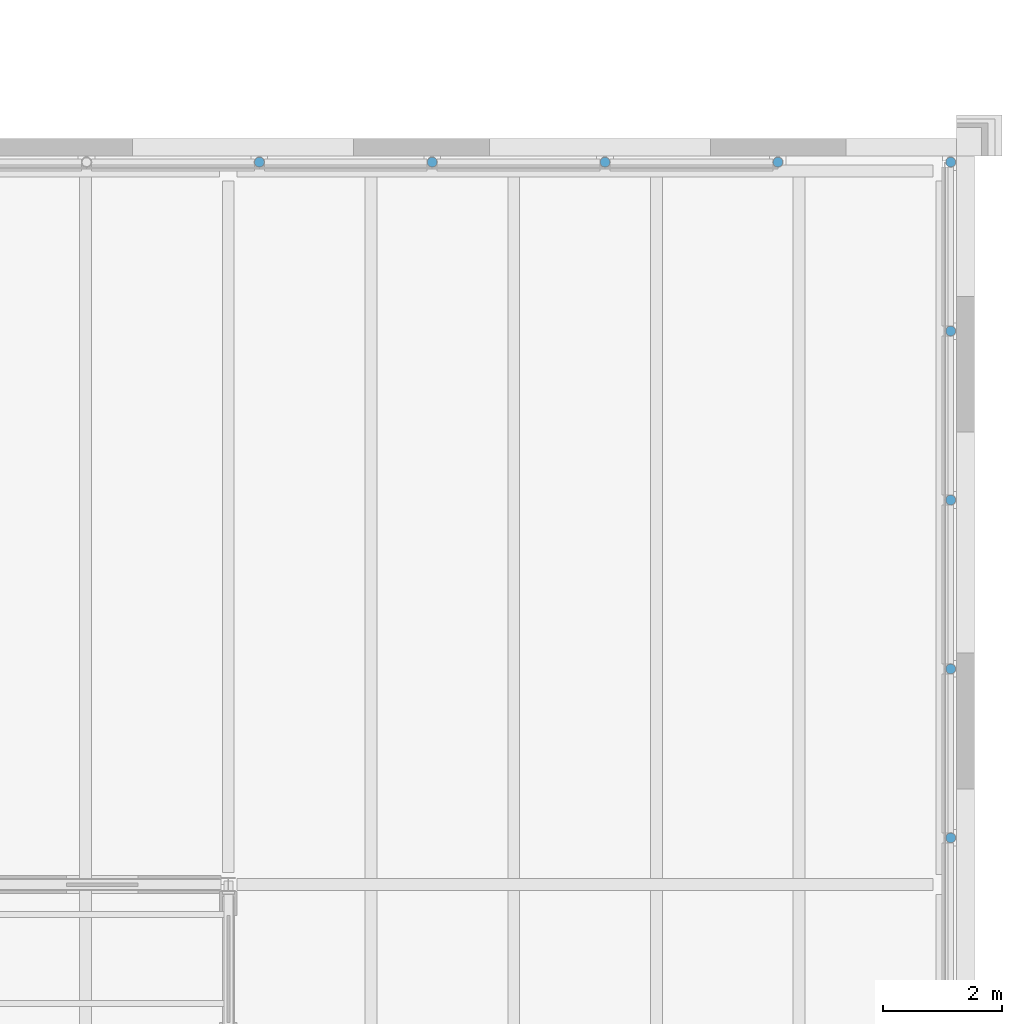
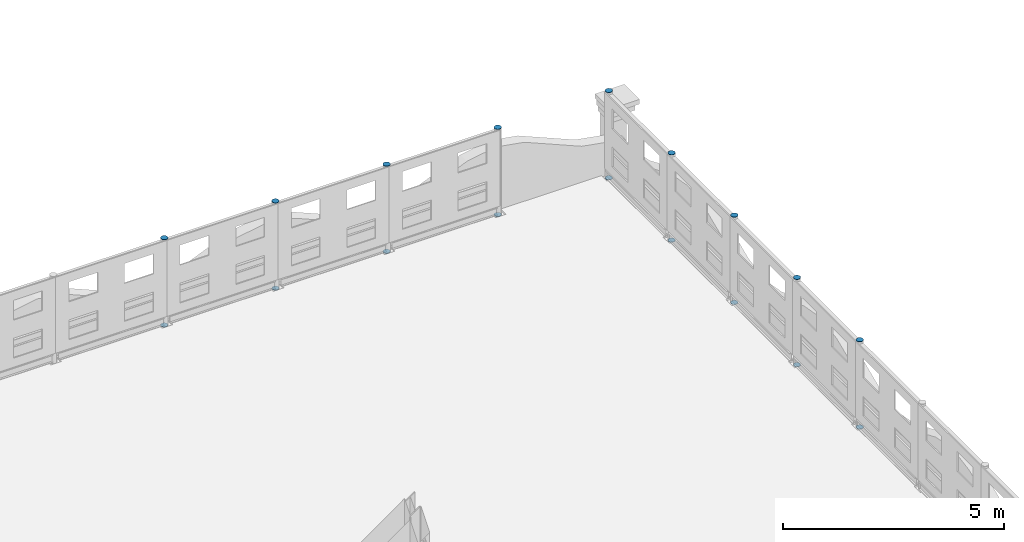
# One storey, part 85 of 91: 18 discrete accessories.
"""IFC4 building model written with IfcOpenShell, lengths in metres."""

from ifc_helpers import new_model, si_unit, direction, frame, origin, origin_2d, place, context, subcontext, project, spatial, circle, extrude, material, material_profile, profile_set, type_object, element, save


model = new_model("IFC4")

# Units and contexts
model_context = context("Model", 3, precision=1e-05, world=origin(), true_north=direction((0.0, 1.0)))
body_context = subcontext(model_context, "Body", "Model", "MODEL_VIEW")
ifc_project = project(units=[si_unit("LENGTHUNIT", "METRE"), si_unit("AREAUNIT", "SQUARE_METRE"), si_unit("VOLUMEUNIT", "CUBIC_METRE"), si_unit("PLANEANGLEUNIT", "RADIAN"), si_unit("MASSUNIT", "GRAM", prefix="KILO")], contexts=[model_context])

# Site, building, storey
site_placement = place(None, origin())
site = spatial("IfcSite", under=ifc_project, at=site_placement, CompositionType="ELEMENT")
building_placement = place(site_placement, origin())
building = spatial("IfcBuilding", under=site, at=building_placement, Name="Ravi Spectrum Wholesale Market", CompositionType="ELEMENT")
storey_placement = place(building_placement, frame((0.0, 0.0, 16.199951171875)))
storey = spatial("IfcBuildingStorey", under=building, at=storey_placement, Name="ROOF PLANT LEVEL", CompositionType="ELEMENT", Elevation=16.199951171875)

# Discrete accessories
ifc_material = material(Name="Steel S355", Category="steel")
ifc_material_profile = material_profile(ifc_material, circle(Radius=0.084228515625, at=origin_2d()))
ifc_profile_set = profile_set([ifc_material_profile], Name="Steel S355")
discrete_accessory_type = type_object("IfcDiscreteAccessoryType", Name="End plate CHS 168.3x6.3", PredefinedType="BRACKET", material=ifc_profile_set)
for number, where, z_axis, x_axis, name in (
    (1, (282.14990234375, 54.785400390625, 0.0), (0.0, 0.0, -1.0), (1.0, 0.0, 0.0), "End plate"),
    (2, (282.14990234375, 54.785400390625, 2.400146484375), (0.0, 0.0, 1.0), (1.0, 0.0, 0.0), "End plate"),
    (3, (282.14990234375, 57.62646484375, 0.0), (0.0, 0.0, -1.0), (1.0, 0.0, 0.0), "End plate"),
    (4, (282.14990234375, 57.62646484375, 2.400146484375), (0.0, 0.0, 1.0), (1.0, 0.0, 0.0), "End plate"),
    (5, (282.14990234375, 60.467529296875, 0.0), (0.0, 0.0, -1.0), (1.0, 0.0, 0.0), "End plate"),
    (6, (282.14990234375, 60.467529296875, 2.400146484375), (0.0, 0.0, 1.0), (1.0, 0.0, 0.0), "End plate"),
    (7, (282.14990234375, 63.308837890625, 0.0), (0.0, 0.0, -1.0), (1.0, 0.0, 0.0), "End plate"),
    (8, (282.14990234375, 63.308837890625, 2.400146484375), (0.0, 0.0, 1.0), (1.0, 0.0, 0.0), "End plate"),
    (9, (282.14990234375, 66.14990234375, 0.0), (0.0, 0.0, -1.0), (1.0, 0.0, 0.0), "End plate"),
    (10, (282.14990234375, 66.14990234375, 2.400146484375), (0.0, 0.0, 1.0), (1.0, 0.0, 0.0), "End plate"),
    (11, (279.2431640625, 66.14990234375, 0.0), (0.0, 0.0, -1.0), (1.0, 0.0, 0.0), "End plate"),
    (12, (279.2431640625, 66.14990234375, 2.400146484375), (0.0, 0.0, 1.0), (1.0, 0.0, 0.0), "End plate"),
    (13, (276.336181640625, 66.14990234375, 0.0), (0.0, 0.0, -1.0), (1.0, 0.0, 0.0), "End plate"),
    (14, (276.336181640625, 66.14990234375, 2.400146484375), (0.0, 0.0, 1.0), (1.0, 0.0, 0.0), "End plate"),
    (15, (273.42919921875, 66.14990234375, 0.0), (0.0, 0.0, -1.0), (1.0, 0.0, 0.0), "End plate"),
    (16, (273.42919921875, 66.14990234375, 2.400146484375), (0.0, 0.0, 1.0), (1.0, 0.0, 0.0), "End plate"),
    (17, (270.5224609375, 66.14990234375, 0.0), (0.0, 0.0, -1.0), (1.0, 0.0, 0.0), "End plate"),
    (18, (270.5224609375, 66.14990234375, 2.400146484375), (0.0, 0.0, 1.0), (1.0, 0.0, 0.0), "End plate"),
):
    element("IfcDiscreteAccessory", number, at=place(storey_placement, frame(where, z_axis=z_axis, x_axis=x_axis)), inside=storey, type_object=discrete_accessory_type, Name=name, PredefinedType="BRACKET", context=body_context, shape_type="SweptSolid", body=[
        extrude(circle(Radius=0.084228515625, at=origin_2d()), origin(), (0.0, 0.0, 1.0), 0.011962890625),
    ])

save(model, "model.ifc")
